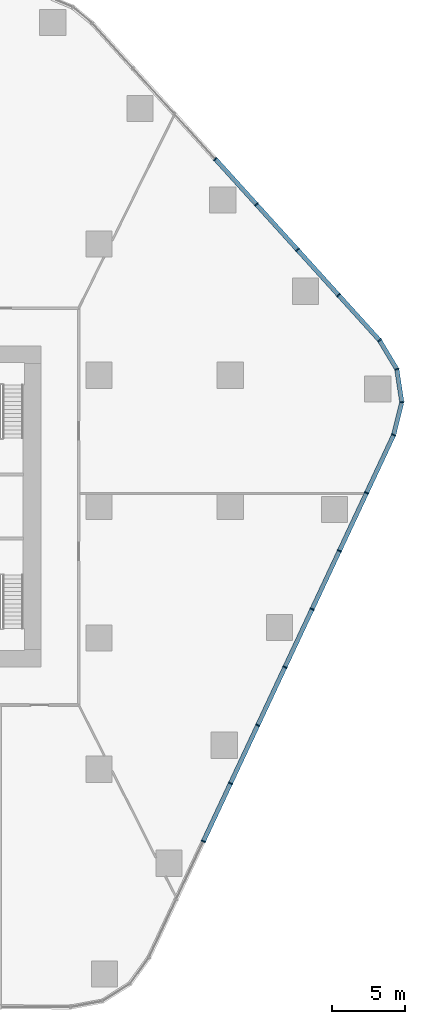
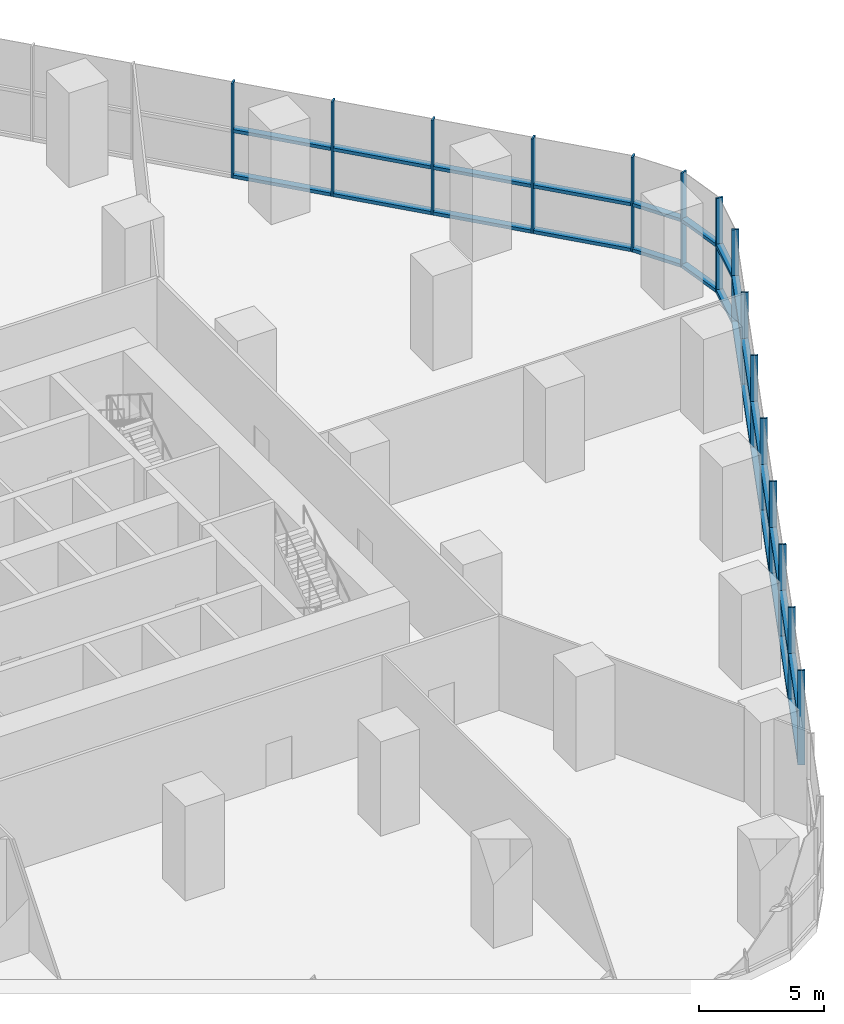
# One storey, part 6 of 15: 43 members, 3 elements without a shape of their own.
"""IFC4 building model written with IfcOpenShell, lengths in metres."""

import ifcopenshell
import ifcopenshell.guid

model = None  # the IFC model being written
_history = None  # IfcOwnerHistory: only IFC2X3 demands one
_inside = {}  # id of a spatial element -> (the spatial element, [elements in it])
_under = {}  # id of a project, library or spatial element -> (it, [spatial elements below it])
_declared = {}  # id of a project -> (the project, [libraries it declares])
_typed = {}  # id of a type object -> (the type object, [elements of that type])
_made_of = {}  # id of a material, layer set ... -> (it, [elements and type objects made of it])


def new_model(schema):
    """Start an empty IFC model of exactly this schema.

    Asked for "IFC4X3", IfcOpenShell would pick the latest addendum, in which some entities
    have other attributes; the version numbers below select the first issue.
    IFC2X3 requires an IfcOwnerHistory on every rooted entity: one is made here for all.
    """
    global model, _history
    if schema == "IFC4X3":
        model = ifcopenshell.file(schema_version=(4, 3, 0, 0))
    else:
        model = ifcopenshell.file(schema=schema)
    _inside.clear()
    _under.clear()
    _declared.clear()
    _typed.clear()
    _made_of.clear()
    _history = None
    if model.schema == "IFC2X3":
        org = make("IfcOrganization", Name="unknown")
        user = make(
            "IfcPersonAndOrganization",
            ThePerson=make("IfcPerson", FamilyName="unknown"),
            TheOrganization=org,
        )
        app = make(
            "IfcApplication",
            ApplicationDeveloper=org,
            Version="unknown",
            ApplicationFullName="unknown",
            ApplicationIdentifier="unknown",
        )
        _history = make(
            "IfcOwnerHistory",
            OwningUser=user,
            OwningApplication=app,
            ChangeAction="ADDED",
            CreationDate=0,
        )
    return model


def make(cls, **values):
    """One entity of the class cls with the attributes given. An attribute that is None is left unset."""
    return model.create_entity(
        cls, **{name: value for name, value in values.items() if value is not None}
    )


def rooted(cls, **values):
    """An entity with a GlobalId (a new one), such as an element, a storey or a relation."""
    return make(cls, GlobalId=ifcopenshell.guid.new(), OwnerHistory=_history, **values)


def si_unit(unit_type, name, prefix=None):
    """IfcSIUnit, for example si_unit("LENGTHUNIT", "METRE", prefix="MILLI")."""
    return make("IfcSIUnit", UnitType=unit_type, Prefix=prefix, Name=name)


def assignment(units):
    """IfcUnitAssignment: the units of a project."""
    return None if units is None else make("IfcUnitAssignment", Units=units)


def point(xyz):
    """IfcCartesianPoint."""
    return None if xyz is None else make("IfcCartesianPoint", Coordinates=xyz)


def direction(xyz):
    """IfcDirection."""
    return None if xyz is None else make("IfcDirection", DirectionRatios=xyz)


def frame(location, z_axis=None, x_axis=None):
    """IfcAxis2Placement3D, a coordinate frame: its origin and axes. An axis left out is left unset."""
    return make(
        "IfcAxis2Placement3D",
        Location=point(location),
        Axis=direction(z_axis),
        RefDirection=direction(x_axis),
    )


def frame_2d(location, x_axis=None):
    """IfcAxis2Placement2D, a coordinate frame in the plane: its origin and x axis."""
    return make(
        "IfcAxis2Placement2D", Location=point(location), RefDirection=direction(x_axis)
    )


def origin():
    """The frame at (0, 0, 0) with its axes left unset."""
    return frame((0.0, 0.0, 0.0))


def origin_2d():
    """The frame at (0, 0) in the plane with its x axis left unset."""
    return frame_2d((0.0, 0.0))


def place(relative_to, where):
    """IfcLocalPlacement: puts the frame where relative to a parent placement (None: the world)."""
    return make(
        "IfcLocalPlacement", PlacementRelTo=relative_to, RelativePlacement=where
    )


def context(
    kind, dimensions, precision=None, world=None, true_north=None, identifier=None
):
    """IfcGeometricRepresentationContext, for example the 3D "Model" context."""
    return make(
        "IfcGeometricRepresentationContext",
        ContextIdentifier=identifier,
        ContextType=kind,
        CoordinateSpaceDimension=dimensions,
        Precision=precision,
        WorldCoordinateSystem=world,
        TrueNorth=true_north,
    )


def subcontext(parent, identifier, kind, view, scale=None):
    """IfcGeometricRepresentationSubContext, for example "Body" below "Model"."""
    return make(
        "IfcGeometricRepresentationSubContext",
        ContextIdentifier=identifier,
        ContextType=kind,
        ParentContext=parent,
        TargetScale=scale,
        TargetView=view,
    )


def project(units=None, contexts=None):
    """IfcProject with its units and contexts."""
    return rooted(
        "IfcProject",
        Name="project",
        RepresentationContexts=contexts,
        UnitsInContext=assignment(units),
    )


def spatial(cls, under=None, at=None, **own):
    """A site, building, storey or space (cls), placed at a placement, below another one or the project."""
    s = rooted(cls, ObjectPlacement=at, **own)
    if under is not None:
        _under.setdefault(under.id(), (under, []))[1].append(s)
    return s


def profile(cls, at=None, kind="AREA", **sizes):
    """A parametric profile (cls). Its sizes go by their IFC names, for example OverallWidth=200.0."""
    return make(cls, ProfileType=kind, Position=at, **sizes)


def rectangle(**sizes):
    """IfcRectangleProfileDef."""
    return profile("IfcRectangleProfileDef", **sizes)


def extrude(swept, where, along, depth):
    """IfcExtrudedAreaSolid: the profile swept, set in the frame where, extruded along a direction by depth."""
    return make(
        "IfcExtrudedAreaSolid",
        SweptArea=swept,
        Position=where,
        ExtrudedDirection=direction(along),
        Depth=depth,
    )


def shape(context_of_items, identifier, shape_type, items):
    """IfcShapeRepresentation: the items that make up one representation, for example the "Body"."""
    return make(
        "IfcShapeRepresentation",
        ContextOfItems=context_of_items,
        RepresentationIdentifier=identifier,
        RepresentationType=shape_type,
        Items=items,
    )


def material(Name=None, Category=None):
    """IfcMaterial."""
    return make("IfcMaterial", Name=Name, Category=Category)


def layer(
    of_material, thickness, ventilated=None, Name=None, Category=None, Priority=None
):
    """IfcMaterialLayer: one layer of a wall or slab, of a material (None: an air gap)."""
    return make(
        "IfcMaterialLayer",
        Material=of_material,
        LayerThickness=thickness,
        IsVentilated=ventilated,
        Name=Name,
        Category=Category,
        Priority=Priority,
    )


def layer_set(layers, Name=None):
    """IfcMaterialLayerSet."""
    return make("IfcMaterialLayerSet", MaterialLayers=layers, LayerSetName=Name)


def material_profile(
    of_material, cross_section, Name=None, Category=None, Priority=None
):
    """IfcMaterialProfile: a cross section and its material."""
    return make(
        "IfcMaterialProfile",
        Name=Name,
        Material=of_material,
        Profile=cross_section,
        Priority=Priority,
        Category=Category,
    )


def profile_set(profiles, Name=None, composite=None):
    """IfcMaterialProfileSet."""
    return make(
        "IfcMaterialProfileSet",
        Name=Name,
        MaterialProfiles=profiles,
        CompositeProfile=composite,
    )


def made_of(thing, what):
    """Note that an element or type object is made of a material, layer set ...; save() writes the relation."""
    if what is not None:
        _made_of.setdefault(what.id(), (what, []))[1].append(thing)
    return thing


def type_object(cls, material=None, **own):
    """A type object (cls), such as IfcWallType, which elements share."""
    return made_of(rooted(cls, **own), material)


def element(
    cls,
    number,
    at=None,
    inside=None,
    cuts=None,
    type_object=None,
    material=None,
    context=None,
    identifier="Body",
    shape_type=None,
    held_by="IfcProductDefinitionShape",
    body=None,
    shapes=None,
    **own,
):
    """One element of the class cls, such as IfcWall. Its Tag is "e" and its number.

    at: its placement. inside: the storey or other place that contains it. cuts: it is an
    opening in that element (IfcRelVoidsElement). A single representation is given by context,
    identifier, shape_type and body (its items); several are given by shapes. held_by: the class
    of the entity that holds the representations. save() writes the other relations.
    """
    e = rooted(cls, Tag="e%d" % number, ObjectPlacement=at, **own)
    if body is not None:
        shapes = [shape(context, identifier, shape_type, body)]
    if shapes is not None:
        e.Representation = make(held_by, Representations=shapes)
    if inside is not None:
        _inside.setdefault(inside.id(), (inside, []))[1].append(e)
    if cuts is not None:
        rooted(
            "IfcRelVoidsElement", RelatingBuildingElement=cuts, RelatedOpeningElement=e
        )
    if type_object is not None:
        _typed.setdefault(type_object.id(), (type_object, []))[1].append(e)
    return made_of(e, material)


def aggregate(whole, parts):
    """IfcRelAggregates: a whole, such as a stair, and the parts it consists of."""
    return rooted("IfcRelAggregates", RelatingObject=whole, RelatedObjects=parts)


def save(model, path):
    """Write the relations noted so far, then the file.

    IfcRelAggregates (storeys below a building ...), IfcRelContainedInSpatialStructure (elements
    in a storey), IfcRelDefinesByType, IfcRelAssociatesMaterial and IfcRelDeclares: one each for
    every whole, place, type object, material and project.
    """
    for whole, parts in _under.values():
        aggregate(whole, parts)
    for where, things in _inside.values():
        rooted(
            "IfcRelContainedInSpatialStructure",
            RelatedElements=things,
            RelatingStructure=where,
        )
    for kind, things in _typed.values():
        rooted("IfcRelDefinesByType", RelatedObjects=things, RelatingType=kind)
    for what, things in _made_of.values():
        rooted("IfcRelAssociatesMaterial", RelatedObjects=things, RelatingMaterial=what)
    for by, libraries in _declared.values():
        rooted("IfcRelDeclares", RelatingContext=by, RelatedDefinitions=libraries)
    model.write(path)


model = new_model("IFC4")

# Units and contexts
model_context = context("Model", 3, precision=1e-05, world=origin(), true_north=direction((0.0, 1.0)))
body_context = subcontext(model_context, "Body", "Model", "MODEL_VIEW")
ifc_project = project(units=[si_unit("LENGTHUNIT", "METRE"), si_unit("AREAUNIT", "SQUARE_METRE"), si_unit("VOLUMEUNIT", "CUBIC_METRE"), si_unit("PLANEANGLEUNIT", "RADIAN"), si_unit("MASSUNIT", "GRAM", prefix="KILO")], contexts=[model_context])

# Site, building, storey
site_placement = place(None, origin())
site = spatial("IfcSite", under=ifc_project, at=site_placement, CompositionType="ELEMENT")
building_placement = place(site_placement, origin())
building = spatial("IfcBuilding", under=site, at=building_placement, Name="Dongbaek Canopy Tower", CompositionType="ELEMENT")
storey_placement = place(building_placement, frame((0.0, 0.0, 33.0)))
storey = spatial("IfcBuildingStorey", under=building, at=storey_placement, Name="L04", CompositionType="ELEMENT", Elevation=33.0)

# Curtain wall, members
ifc_material_1 = material(Name="Aluminium 6063-T6 pale anodised", Category="aluminium")
ifc_layer = layer(ifc_material_1, 0.300048828125)
ifc_layer_set = layer_set([ifc_layer], Name="CW-2 podium hall curtain wall")
curtain_wall_type = type_object("IfcCurtainWallType", Name="CW-2 podium hall curtain wall", PredefinedType="NOTDEFINED", material=ifc_layer_set)
curtain_wall_1_placement = place(storey_placement, origin())
curtain_wall_1 = element("IfcCurtainWall", 1, at=curtain_wall_1_placement, inside=storey, type_object=curtain_wall_type, Name="CW-2 curtain wall F0.1", PredefinedType="NOTDEFINED")
ifc_material_2 = material(Name="Aluminium 6063-T6 pale anodised", Category="aluminium")
ifc_material_profile_1 = material_profile(ifc_material_2, rectangle(XDim=0.300048828125, YDim=0.080078125, at=origin_2d()), Name="CW-2 mullion 80 x 300")
ifc_profile_set_1 = profile_set([ifc_material_profile_1], Name="Aluminium 6063-T6 pale anodised")
member_type_1 = type_object("IfcMemberType", Name="CW-2 mullion 80 x 300", PredefinedType="MULLION", material=ifc_profile_set_1)
member_1_placement = place(storey_placement, frame((37.22705078125, 11.397705078125, 0.0), z_axis=(0.0, 0.0, 1.0), x_axis=(0.741222236547, 0.671259708345, 0.0)))
member_1 = element("IfcMember", 2, at=member_1_placement, type_object=member_type_1, Name="CW-2 mullion F0.1.1", PredefinedType="MULLION", context=body_context, shape_type="SweptSolid", body=[
    extrude(rectangle(XDim=0.300048828125, YDim=0.080078125, at=origin_2d()), origin(), (0.0, 0.0, 1.0), 4.60009765625),
])
member_2_placement = place(storey_placement, frame((34.41748046875, 14.5, 0.0), z_axis=(0.0, 0.0, 1.0), x_axis=(0.741222236547, 0.671259708345, 0.0)))
member_2 = element("IfcMember", 3, at=member_2_placement, type_object=member_type_1, Name="CW-2 mullion F0.1.2", PredefinedType="MULLION", context=body_context, shape_type="SweptSolid", body=[
    extrude(rectangle(XDim=0.300048828125, YDim=0.080078125, at=origin_2d()), origin(), (0.0, 0.0, 1.0), 4.60009765625),
])
member_3_placement = place(storey_placement, frame((31.6015625, 17.609619140625, 0.0), z_axis=(0.0, 0.0, 1.0), x_axis=(0.741222236547, 0.671259708345, 0.0)))
member_3 = element("IfcMember", 4, at=member_3_placement, type_object=member_type_1, Name="CW-2 mullion F0.1.3", PredefinedType="MULLION", context=body_context, shape_type="SweptSolid", body=[
    extrude(rectangle(XDim=0.300048828125, YDim=0.080078125, at=origin_2d()), origin(), (0.0, 0.0, 1.0), 4.60009765625),
])
member_4_placement = place(storey_placement, frame((28.78564453125, 20.718994140625, 0.0), z_axis=(0.0, 0.0, 1.0), x_axis=(0.741222236547, 0.671259708345, 0.0)))
member_4 = element("IfcMember", 5, at=member_4_placement, type_object=member_type_1, Name="CW-2 mullion F0.1.4", PredefinedType="MULLION", context=body_context, shape_type="SweptSolid", body=[
    extrude(rectangle(XDim=0.300048828125, YDim=0.080078125, at=origin_2d()), origin(), (0.0, 0.0, 1.0), 4.60009765625),
])
member_5_placement = place(storey_placement, frame((25.969482421875, 23.82861328125, 0.0), z_axis=(0.0, 0.0, 1.0), x_axis=(0.741222236547, 0.671259708345, 0.0)))
member_5 = element("IfcMember", 6, at=member_5_placement, type_object=member_type_1, Name="CW-2 mullion F0.1.5", PredefinedType="MULLION", context=body_context, shape_type="SweptSolid", body=[
    extrude(rectangle(XDim=0.300048828125, YDim=0.080078125, at=origin_2d()), origin(), (0.0, 0.0, 1.0), 4.60009765625),
])

curtain_wall_2_placement = place(storey_placement, origin())
curtain_wall_2 = element("IfcCurtainWall", 7, at=curtain_wall_2_placement, inside=storey, type_object=curtain_wall_type, Name="CW-2 curtain wall F5.1", PredefinedType="NOTDEFINED")
member_6_placement = place(storey_placement, frame((25.146240234375, -22.95263671875, 0.0), z_axis=(0.0, 0.0, 1.0), x_axis=(0.905604654395, -0.424122871275, 0.0)))
member_6 = element("IfcMember", 8, at=member_6_placement, type_object=member_type_1, Name="CW-2 mullion F5.1.3", PredefinedType="MULLION", context=body_context, shape_type="SweptSolid", body=[
    extrude(rectangle(XDim=0.300048828125, YDim=0.080078125, at=origin_2d()), origin(), (0.0, 0.0, 1.0), 4.60009765625),
])
member_7_placement = place(storey_placement, frame((27.011474609375, -18.9697265625, 0.0), z_axis=(0.0, 0.0, 1.0), x_axis=(0.905604654395, -0.424122871275, 0.0)))
member_7 = element("IfcMember", 9, at=member_7_placement, type_object=member_type_1, Name="CW-2 mullion F5.1.4", PredefinedType="MULLION", context=body_context, shape_type="SweptSolid", body=[
    extrude(rectangle(XDim=0.300048828125, YDim=0.080078125, at=origin_2d()), origin(), (0.0, 0.0, 1.0), 4.60009765625),
])
member_8_placement = place(storey_placement, frame((28.876953125, -14.98681640625, 0.0), z_axis=(0.0, 0.0, 1.0), x_axis=(0.905604654395, -0.424122871275, 0.0)))
member_8 = element("IfcMember", 10, at=member_8_placement, type_object=member_type_1, Name="CW-2 mullion F5.1.5", PredefinedType="MULLION", context=body_context, shape_type="SweptSolid", body=[
    extrude(rectangle(XDim=0.300048828125, YDim=0.080078125, at=origin_2d()), origin(), (0.0, 0.0, 1.0), 4.60009765625),
])
member_9_placement = place(storey_placement, frame((30.7421875, -11.00390625, 0.0), z_axis=(0.0, 0.0, 1.0), x_axis=(0.905604654395, -0.424122871275, 0.0)))
member_9 = element("IfcMember", 11, at=member_9_placement, type_object=member_type_1, Name="CW-2 mullion F5.1.6", PredefinedType="MULLION", context=body_context, shape_type="SweptSolid", body=[
    extrude(rectangle(XDim=0.300048828125, YDim=0.080078125, at=origin_2d()), origin(), (0.0, 0.0, 1.0), 4.60009765625),
])
member_10_placement = place(storey_placement, frame((32.607421875, -7.02099609375, 0.0), z_axis=(0.0, 0.0, 1.0), x_axis=(0.905604654395, -0.424122871275, 0.0)))
member_10 = element("IfcMember", 12, at=member_10_placement, type_object=member_type_1, Name="CW-2 mullion F5.1.7", PredefinedType="MULLION", context=body_context, shape_type="SweptSolid", body=[
    extrude(rectangle(XDim=0.300048828125, YDim=0.080078125, at=origin_2d()), origin(), (0.0, 0.0, 1.0), 4.60009765625),
])
member_11_placement = place(storey_placement, frame((34.472900390625, -3.0380859375, 0.0), z_axis=(0.0, 0.0, 1.0), x_axis=(0.905604654395, -0.424122871275, 0.0)))
member_11 = element("IfcMember", 13, at=member_11_placement, type_object=member_type_1, Name="CW-2 mullion F5.1.8", PredefinedType="MULLION", context=body_context, shape_type="SweptSolid", body=[
    extrude(rectangle(XDim=0.300048828125, YDim=0.080078125, at=origin_2d()), origin(), (0.0, 0.0, 1.0), 4.60009765625),
])
member_12_placement = place(storey_placement, frame((36.338134765625, 0.94482421875, 0.0), z_axis=(0.0, 0.0, 1.0), x_axis=(0.905604654395, -0.424122871275, 0.0)))
member_12 = element("IfcMember", 14, at=member_12_placement, type_object=member_type_1, Name="CW-2 mullion F5.1.9", PredefinedType="MULLION", context=body_context, shape_type="SweptSolid", body=[
    extrude(rectangle(XDim=0.300048828125, YDim=0.080078125, at=origin_2d()), origin(), (0.0, 0.0, 1.0), 4.60009765625),
])
member_13_placement = place(storey_placement, frame((38.19921875, 4.918701171875, 0.0), z_axis=(0.0, 0.0, 1.0), x_axis=(0.905604654395, -0.424122871275, 0.0)))
member_13 = element("IfcMember", 15, at=member_13_placement, type_object=member_type_1, Name="CW-2 mullion F5.1.10", PredefinedType="MULLION", context=body_context, shape_type="SweptSolid", body=[
    extrude(rectangle(XDim=0.300048828125, YDim=0.080078125, at=origin_2d()), origin(), (0.0, 0.0, 1.0), 4.60009765625),
])

curtain_wall_3_placement = place(storey_placement, origin())
curtain_wall_3 = element("IfcCurtainWall", 16, at=curtain_wall_3_placement, inside=storey, type_object=curtain_wall_type, Name="CW-2 curtain wall K5.1", PredefinedType="NOTDEFINED")
member_14_placement = place(storey_placement, frame((38.751953125, 7.15478515625, 0.0), z_axis=(0.0, 0.0, 1.0), x_axis=(0.998910074413, -0.046676152764, 0.0)))
member_14 = element("IfcMember", 17, at=member_14_placement, type_object=member_type_1, Name="CW-2 mullion K5.1.2", PredefinedType="MULLION", context=body_context, shape_type="SweptSolid", body=[
    extrude(rectangle(XDim=0.300048828125, YDim=0.080078125, at=origin_2d()), origin(), (0.0, 0.0, 1.0), 4.60009765625),
])
member_15_placement = place(storey_placement, frame((38.41162109375, 9.422607421875, 0.0), z_axis=(0.0, 0.0, 1.0), x_axis=(0.941208325006, 0.337826714365, 0.0)))
member_15 = element("IfcMember", 18, at=member_15_placement, type_object=member_type_1, Name="CW-2 mullion K5.1.3", PredefinedType="MULLION", context=body_context, shape_type="SweptSolid", body=[
    extrude(rectangle(XDim=0.300048828125, YDim=0.080078125, at=origin_2d()), origin(), (0.0, 0.0, 1.0), 4.60009765625),
])

# Member
ifc_material_3 = material(Name="Aluminium 6063-T6 pale anodised", Category="aluminium")
ifc_material_profile_2 = material_profile(ifc_material_3, rectangle(XDim=0.300048828125, YDim=0.159912109375, at=origin_2d()), Name="CW-2 transom 160 x 300")
ifc_profile_set_2 = profile_set([ifc_material_profile_2], Name="Aluminium 6063-T6 pale anodised")
member_type_2 = type_object("IfcMemberType", Name="CW-2 transom 160 x 300", PredefinedType="USERDEFINED", material=ifc_profile_set_2)
member_16_placement = place(storey_placement, frame((37.192138671875, 11.436279296875, 0.080078125), z_axis=(-0.671278192509, 0.741205496648, 0.0), x_axis=(-0.741205496648, -0.671278192509, 0.0)))
member_16 = element("IfcMember", 19, at=member_16_placement, type_object=member_type_2, Name="CW-2 transom F0.1.1.1", ObjectType="TRANSOM", PredefinedType="USERDEFINED", context=body_context, shape_type="SweptSolid", body=[
    extrude(rectangle(XDim=0.300048828125, YDim=0.159912109375, at=origin_2d()), origin(), (0.0, 0.0, 1.0), 4.081298828125),
])

member_17_placement = place(storey_placement, frame((37.192138671875, 11.436279296875, 2.300048828125), z_axis=(-0.671278192509, 0.741205496648, 0.0), x_axis=(-0.741205496648, -0.671278192509, 0.0)))
member_17 = element("IfcMember", 20, at=member_17_placement, type_object=member_type_2, Name="CW-2 transom F0.1.1.2", ObjectType="TRANSOM", PredefinedType="USERDEFINED", context=body_context, shape_type="SweptSolid", body=[
    extrude(rectangle(XDim=0.300048828125, YDim=0.159912109375, at=origin_2d()), origin(), (0.0, 0.0, 1.0), 4.081298828125),
])

member_18_placement = place(storey_placement, frame((34.3828125, 14.53857421875, 0.080078125), z_axis=(-0.671272628387, 0.741210535798, 0.0), x_axis=(-0.741210535798, -0.671272628387, 0.0)))
member_18 = element("IfcMember", 21, at=member_18_placement, type_object=member_type_2, Name="CW-2 transom F0.1.2.1", ObjectType="TRANSOM", PredefinedType="USERDEFINED", context=body_context, shape_type="SweptSolid", body=[
    extrude(rectangle(XDim=0.300048828125, YDim=0.159912109375, at=origin_2d()), origin(), (0.0, 0.0, 1.0), 4.09130859375),
])

member_19_placement = place(storey_placement, frame((34.3828125, 14.53857421875, 2.300048828125), z_axis=(-0.671272628387, 0.741210535798, 0.0), x_axis=(-0.741210535798, -0.671272628387, 0.0)))
member_19 = element("IfcMember", 22, at=member_19_placement, type_object=member_type_2, Name="CW-2 transom F0.1.2.2", ObjectType="TRANSOM", PredefinedType="USERDEFINED", context=body_context, shape_type="SweptSolid", body=[
    extrude(rectangle(XDim=0.300048828125, YDim=0.159912109375, at=origin_2d()), origin(), (0.0, 0.0, 1.0), 4.09130859375),
])

member_20_placement = place(storey_placement, frame((31.566650390625, 17.64794921875, 0.080078125), z_axis=(-0.671239841945, 0.741240227312, 0.0), x_axis=(-0.741240227312, -0.671239841945, 0.0)))
member_20 = element("IfcMember", 23, at=member_20_placement, type_object=member_type_2, Name="CW-2 transom F0.1.3.1", ObjectType="TRANSOM", PredefinedType="USERDEFINED", context=body_context, shape_type="SweptSolid", body=[
    extrude(rectangle(XDim=0.300048828125, YDim=0.159912109375, at=origin_2d()), origin(), (0.0, 0.0, 1.0), 4.091064453125),
])

member_21_placement = place(storey_placement, frame((31.566650390625, 17.64794921875, 2.300048828125), z_axis=(-0.671239841945, 0.741240227312, 0.0), x_axis=(-0.741240227312, -0.671239841945, 0.0)))
member_21 = element("IfcMember", 24, at=member_21_placement, type_object=member_type_2, Name="CW-2 transom F0.1.3.2", ObjectType="TRANSOM", PredefinedType="USERDEFINED", context=body_context, shape_type="SweptSolid", body=[
    extrude(rectangle(XDim=0.300048828125, YDim=0.159912109375, at=origin_2d()), origin(), (0.0, 0.0, 1.0), 4.091064453125),
])

member_22_placement = place(storey_placement, frame((28.750732421875, 20.757568359375, 0.080078125), z_axis=(-0.671272628387, 0.741210535798, 0.0), x_axis=(-0.741210535798, -0.671272628387, 0.0)))
member_22 = element("IfcMember", 25, at=member_22_placement, type_object=member_type_2, Name="CW-2 transom F0.1.4.1", ObjectType="TRANSOM", PredefinedType="USERDEFINED", context=body_context, shape_type="SweptSolid", body=[
    extrude(rectangle(XDim=0.300048828125, YDim=0.159912109375, at=origin_2d()), origin(), (0.0, 0.0, 1.0), 4.09130859375),
])

member_23_placement = place(storey_placement, frame((28.750732421875, 20.757568359375, 2.300048828125), z_axis=(-0.671272628387, 0.741210535798, 0.0), x_axis=(-0.741210535798, -0.671272628387, 0.0)))
member_23 = element("IfcMember", 26, at=member_23_placement, type_object=member_type_2, Name="CW-2 transom F0.1.4.2", ObjectType="TRANSOM", PredefinedType="USERDEFINED", context=body_context, shape_type="SweptSolid", body=[
    extrude(rectangle(XDim=0.300048828125, YDim=0.159912109375, at=origin_2d()), origin(), (0.0, 0.0, 1.0), 4.09130859375),
])

aggregate(curtain_wall_1, [member_1, member_2, member_3, member_4, member_5, member_16, member_17, member_18, member_19, member_20, member_21, member_22, member_23])

member_24_placement = place(storey_placement, frame((25.168212890625, -22.905517578125, 0.080078125), z_axis=(0.424142520697, 0.905595451698, 0.0), x_axis=(-0.905595451698, 0.424142520697, 0.0)))
member_24 = element("IfcMember", 27, at=member_24_placement, type_object=member_type_2, Name="CW-2 transom F5.1.3.1", ObjectType="TRANSOM", PredefinedType="USERDEFINED", context=body_context, shape_type="SweptSolid", body=[
    extrude(rectangle(XDim=0.300048828125, YDim=0.159912109375, at=origin_2d()), origin(), (0.0, 0.0, 1.0), 4.2939453125),
])

member_25_placement = place(storey_placement, frame((25.168212890625, -22.905517578125, 2.300048828125), z_axis=(0.424142520697, 0.905595451698, 0.0), x_axis=(-0.905595451698, 0.424142520697, 0.0)))
member_25 = element("IfcMember", 28, at=member_25_placement, type_object=member_type_2, Name="CW-2 transom F5.1.3.2", ObjectType="TRANSOM", PredefinedType="USERDEFINED", context=body_context, shape_type="SweptSolid", body=[
    extrude(rectangle(XDim=0.300048828125, YDim=0.159912109375, at=origin_2d()), origin(), (0.0, 0.0, 1.0), 4.2939453125),
])

member_26_placement = place(storey_placement, frame((27.03369140625, -18.922607421875, 0.080078125), z_axis=(0.424095891584, 0.905617289335, 0.0), x_axis=(-0.905617289335, 0.424095891584, 0.0)))
member_26 = element("IfcMember", 29, at=member_26_placement, type_object=member_type_2, Name="CW-2 transom F5.1.4.1", ObjectType="TRANSOM", PredefinedType="USERDEFINED", context=body_context, shape_type="SweptSolid", body=[
    extrude(rectangle(XDim=0.300048828125, YDim=0.159912109375, at=origin_2d()), origin(), (0.0, 0.0, 1.0), 4.2939453125),
])

member_27_placement = place(storey_placement, frame((27.03369140625, -18.922607421875, 2.300048828125), z_axis=(0.424095891584, 0.905617289335, 0.0), x_axis=(-0.905617289335, 0.424095891584, 0.0)))
member_27 = element("IfcMember", 30, at=member_27_placement, type_object=member_type_2, Name="CW-2 transom F5.1.4.2", ObjectType="TRANSOM", PredefinedType="USERDEFINED", context=body_context, shape_type="SweptSolid", body=[
    extrude(rectangle(XDim=0.300048828125, YDim=0.159912109375, at=origin_2d()), origin(), (0.0, 0.0, 1.0), 4.2939453125),
])

member_28_placement = place(storey_placement, frame((28.89892578125, -14.939697265625, 0.080078125), z_axis=(0.424142520697, 0.905595451698, 0.0), x_axis=(-0.905595451698, 0.424142520697, 0.0)))
member_28 = element("IfcMember", 31, at=member_28_placement, type_object=member_type_2, Name="CW-2 transom F5.1.5.1", ObjectType="TRANSOM", PredefinedType="USERDEFINED", context=body_context, shape_type="SweptSolid", body=[
    extrude(rectangle(XDim=0.300048828125, YDim=0.159912109375, at=origin_2d()), origin(), (0.0, 0.0, 1.0), 4.2939453125),
])

member_29_placement = place(storey_placement, frame((28.89892578125, -14.939697265625, 2.300048828125), z_axis=(0.424142520697, 0.905595451698, 0.0), x_axis=(-0.905595451698, 0.424142520697, 0.0)))
member_29 = element("IfcMember", 32, at=member_29_placement, type_object=member_type_2, Name="CW-2 transom F5.1.5.2", ObjectType="TRANSOM", PredefinedType="USERDEFINED", context=body_context, shape_type="SweptSolid", body=[
    extrude(rectangle(XDim=0.300048828125, YDim=0.159912109375, at=origin_2d()), origin(), (0.0, 0.0, 1.0), 4.2939453125),
])

member_30_placement = place(storey_placement, frame((30.76416015625, -10.956787109375, 0.080078125), z_axis=(0.424142520697, 0.905595451698, 0.0), x_axis=(-0.905595451698, 0.424142520697, 0.0)))
member_30 = element("IfcMember", 33, at=member_30_placement, type_object=member_type_2, Name="CW-2 transom F5.1.6.1", ObjectType="TRANSOM", PredefinedType="USERDEFINED", context=body_context, shape_type="SweptSolid", body=[
    extrude(rectangle(XDim=0.300048828125, YDim=0.159912109375, at=origin_2d()), origin(), (0.0, 0.0, 1.0), 4.2939453125),
])

member_31_placement = place(storey_placement, frame((30.76416015625, -10.956787109375, 2.300048828125), z_axis=(0.424142520697, 0.905595451698, 0.0), x_axis=(-0.905595451698, 0.424142520697, 0.0)))
member_31 = element("IfcMember", 34, at=member_31_placement, type_object=member_type_2, Name="CW-2 transom F5.1.6.2", ObjectType="TRANSOM", PredefinedType="USERDEFINED", context=body_context, shape_type="SweptSolid", body=[
    extrude(rectangle(XDim=0.300048828125, YDim=0.159912109375, at=origin_2d()), origin(), (0.0, 0.0, 1.0), 4.2939453125),
])

member_32_placement = place(storey_placement, frame((32.629638671875, -6.973876953125, 0.080078125), z_axis=(0.424095891584, 0.905617289335, 0.0), x_axis=(-0.905617289335, 0.424095891584, 0.0)))
member_32 = element("IfcMember", 35, at=member_32_placement, type_object=member_type_2, Name="CW-2 transom F5.1.7.1", ObjectType="TRANSOM", PredefinedType="USERDEFINED", context=body_context, shape_type="SweptSolid", body=[
    extrude(rectangle(XDim=0.300048828125, YDim=0.159912109375, at=origin_2d()), origin(), (0.0, 0.0, 1.0), 4.2939453125),
])

member_33_placement = place(storey_placement, frame((32.629638671875, -6.973876953125, 2.300048828125), z_axis=(0.424095891584, 0.905617289335, 0.0), x_axis=(-0.905617289335, 0.424095891584, 0.0)))
member_33 = element("IfcMember", 36, at=member_33_placement, type_object=member_type_2, Name="CW-2 transom F5.1.7.2", ObjectType="TRANSOM", PredefinedType="USERDEFINED", context=body_context, shape_type="SweptSolid", body=[
    extrude(rectangle(XDim=0.300048828125, YDim=0.159912109375, at=origin_2d()), origin(), (0.0, 0.0, 1.0), 4.2939453125),
])

member_34_placement = place(storey_placement, frame((34.494873046875, -2.990966796875, 0.080078125), z_axis=(0.424142520697, 0.905595451698, 0.0), x_axis=(-0.905595451698, 0.424142520697, 0.0)))
member_34 = element("IfcMember", 37, at=member_34_placement, type_object=member_type_2, Name="CW-2 transom F5.1.8.1", ObjectType="TRANSOM", PredefinedType="USERDEFINED", context=body_context, shape_type="SweptSolid", body=[
    extrude(rectangle(XDim=0.300048828125, YDim=0.159912109375, at=origin_2d()), origin(), (0.0, 0.0, 1.0), 4.2939453125),
])

member_35_placement = place(storey_placement, frame((34.494873046875, -2.990966796875, 2.300048828125), z_axis=(0.424142520697, 0.905595451698, 0.0), x_axis=(-0.905595451698, 0.424142520697, 0.0)))
member_35 = element("IfcMember", 38, at=member_35_placement, type_object=member_type_2, Name="CW-2 transom F5.1.8.2", ObjectType="TRANSOM", PredefinedType="USERDEFINED", context=body_context, shape_type="SweptSolid", body=[
    extrude(rectangle(XDim=0.300048828125, YDim=0.159912109375, at=origin_2d()), origin(), (0.0, 0.0, 1.0), 4.2939453125),
])

member_36_placement = place(storey_placement, frame((36.360107421875, 0.991943359375, 0.080078125), z_axis=(0.424157907477, 0.905588245024, 0.0), x_axis=(-0.905588245024, 0.424157907477, 0.0)))
member_36 = element("IfcMember", 39, at=member_36_placement, type_object=member_type_2, Name="CW-2 transom F5.1.9.1", ObjectType="TRANSOM", PredefinedType="USERDEFINED", context=body_context, shape_type="SweptSolid", body=[
    extrude(rectangle(XDim=0.300048828125, YDim=0.159912109375, at=origin_2d()), origin(), (0.0, 0.0, 1.0), 4.2841796875),
])

member_37_placement = place(storey_placement, frame((36.360107421875, 0.991943359375, 2.300048828125), z_axis=(0.424157907477, 0.905588245024, 0.0), x_axis=(-0.905588245024, 0.424157907477, 0.0)))
member_37 = element("IfcMember", 40, at=member_37_placement, type_object=member_type_2, Name="CW-2 transom F5.1.9.2", ObjectType="TRANSOM", PredefinedType="USERDEFINED", context=body_context, shape_type="SweptSolid", body=[
    extrude(rectangle(XDim=0.300048828125, YDim=0.159912109375, at=origin_2d()), origin(), (0.0, 0.0, 1.0), 4.2841796875),
])

aggregate(curtain_wall_2, [member_6, member_7, member_8, member_9, member_10, member_11, member_12, member_13, member_24, member_25, member_26, member_27, member_28, member_29, member_30, member_31, member_32, member_33, member_34, member_35, member_36, member_37])

member_38_placement = place(storey_placement, frame((38.2119140625, 4.96923828125, 0.080078125), z_axis=(0.23989656478, 0.970798453958, 0.0), x_axis=(-0.970798453958, 0.23989656478, 0.0)))
member_38 = element("IfcMember", 41, at=member_38_placement, type_object=member_type_2, Name="CW-2 transom K5.1.1.1", ObjectType="TRANSOM", PredefinedType="USERDEFINED", context=body_context, shape_type="SweptSolid", body=[
    extrude(rectangle(XDim=0.300048828125, YDim=0.159912109375, at=origin_2d()), origin(), (0.0, 0.0, 1.0), 2.19921875),
])

member_39_placement = place(storey_placement, frame((38.2119140625, 4.96923828125, 2.300048828125), z_axis=(0.23989656478, 0.970798453958, 0.0), x_axis=(-0.970798453958, 0.23989656478, 0.0)))
member_39 = element("IfcMember", 42, at=member_39_placement, type_object=member_type_2, Name="CW-2 transom K5.1.1.2", ObjectType="TRANSOM", PredefinedType="USERDEFINED", context=body_context, shape_type="SweptSolid", body=[
    extrude(rectangle(XDim=0.300048828125, YDim=0.159912109375, at=origin_2d()), origin(), (0.0, 0.0, 1.0), 2.19921875),
])

member_40_placement = place(storey_placement, frame((38.744384765625, 7.2060546875, 0.080078125), z_axis=(-0.14842770198, 0.988923261575, 0.0), x_axis=(-0.988923261575, -0.14842770198, 0.0)))
member_40 = element("IfcMember", 43, at=member_40_placement, type_object=member_type_2, Name="CW-2 transom K5.1.2.1", ObjectType="TRANSOM", PredefinedType="USERDEFINED", context=body_context, shape_type="SweptSolid", body=[
    extrude(rectangle(XDim=0.300048828125, YDim=0.159912109375, at=origin_2d()), origin(), (0.0, 0.0, 1.0), 2.189208984375),
])

member_41_placement = place(storey_placement, frame((38.744384765625, 7.2060546875, 2.300048828125), z_axis=(-0.14842770198, 0.988923261575, 0.0), x_axis=(-0.988923261575, -0.14842770198, 0.0)))
member_41 = element("IfcMember", 44, at=member_41_placement, type_object=member_type_2, Name="CW-2 transom K5.1.2.2", ObjectType="TRANSOM", PredefinedType="USERDEFINED", context=body_context, shape_type="SweptSolid", body=[
    extrude(rectangle(XDim=0.300048828125, YDim=0.159912109375, at=origin_2d()), origin(), (0.0, 0.0, 1.0), 2.189208984375),
])

member_42_placement = place(storey_placement, frame((38.385009765625, 9.467041015625, 0.080078125), z_axis=(-0.514332488752, 0.857590864582, 0.0), x_axis=(-0.857590864582, -0.514332488752, 0.0)))
member_42 = element("IfcMember", 45, at=member_42_placement, type_object=member_type_2, Name="CW-2 transom K5.1.3.1", ObjectType="TRANSOM", PredefinedType="USERDEFINED", context=body_context, shape_type="SweptSolid", body=[
    extrude(rectangle(XDim=0.300048828125, YDim=0.159912109375, at=origin_2d()), origin(), (0.0, 0.0, 1.0), 2.19921875),
])

member_43_placement = place(storey_placement, frame((38.385009765625, 9.467041015625, 2.300048828125), z_axis=(-0.514332488752, 0.857590864582, 0.0), x_axis=(-0.857590864582, -0.514332488752, 0.0)))
member_43 = element("IfcMember", 46, at=member_43_placement, type_object=member_type_2, Name="CW-2 transom K5.1.3.2", ObjectType="TRANSOM", PredefinedType="USERDEFINED", context=body_context, shape_type="SweptSolid", body=[
    extrude(rectangle(XDim=0.300048828125, YDim=0.159912109375, at=origin_2d()), origin(), (0.0, 0.0, 1.0), 2.19921875),
])

aggregate(curtain_wall_3, [member_14, member_15, member_38, member_39, member_40, member_41, member_42, member_43])

save(model, "model.ifc")
